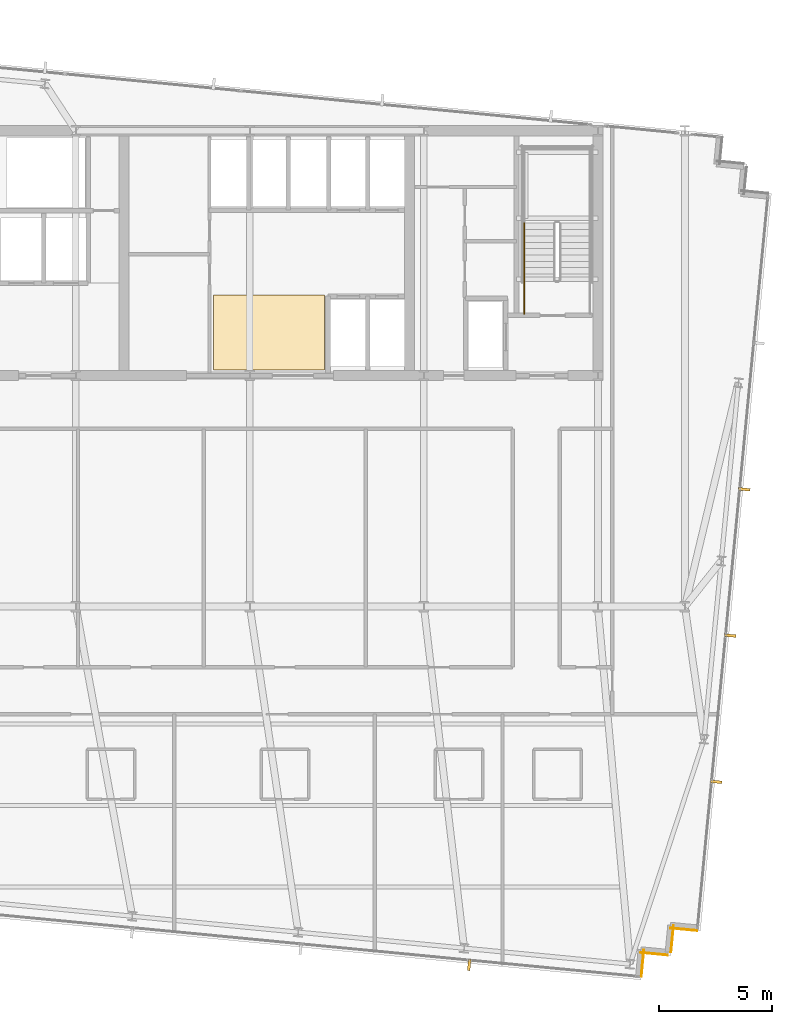
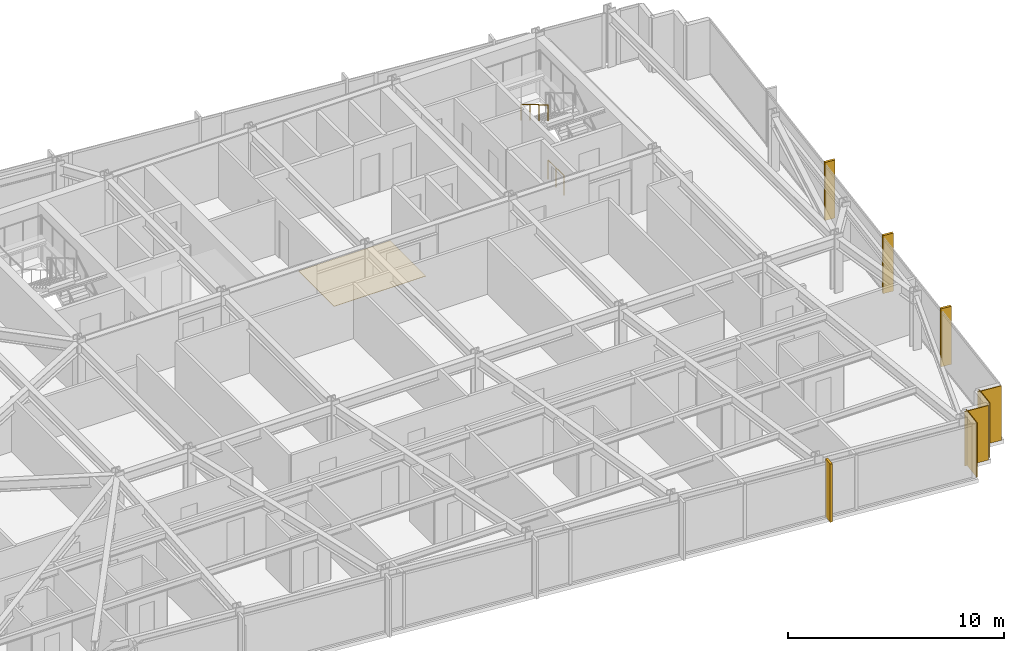
# One storey, part 35 of 38: 5 coverings, 4 shading devices, 2 railings.
"""IFC4 building model written with IfcOpenShell, lengths in metres."""

from ifc_helpers import new_model, si_unit, direction, frame, frame_2d, origin, origin_2d, place, context, subcontext, project, spatial, polyline, rectangle, circle, outline, extrude, material, layer, layer_set, type_object, element, save


model = new_model("IFC4")

# Units and contexts
model_context = context("Model", 3, precision=1e-05, world=origin(), true_north=direction((0.0, 1.0)))
body_context = subcontext(model_context, "Body", "Model", "MODEL_VIEW")
ifc_project = project(units=[si_unit("LENGTHUNIT", "METRE"), si_unit("AREAUNIT", "SQUARE_METRE"), si_unit("VOLUMEUNIT", "CUBIC_METRE"), si_unit("PLANEANGLEUNIT", "RADIAN"), si_unit("MASSUNIT", "GRAM", prefix="KILO")], contexts=[model_context])

# Site, building, storey
site_placement = place(None, origin())
site = spatial("IfcSite", under=ifc_project, at=site_placement, CompositionType="ELEMENT")
building_placement = place(site_placement, origin())
building = spatial("IfcBuilding", under=site, at=building_placement, Name="Yelkora Congress Tower", CompositionType="ELEMENT")
storey_placement = place(building_placement, frame((0.0, 0.0, 185.300048828125)))
storey = spatial("IfcBuildingStorey", under=building, at=storey_placement, Name="L51", CompositionType="ELEMENT", Elevation=185.300048828125)

# Coverings
ifc_material_1 = material(Name="Anatolian bush-hammered limestone", Category="masonry")
ifc_layer_1 = layer(ifc_material_1, 0.0400390625)
ifc_layer_set_1 = layer_set([ifc_layer_1], Name="Anatolian bush-hammered limestone")
covering_type_1 = type_object("IfcCoveringType", Name="COV-CLAD-SPANDREL-40", PredefinedType="CLADDING", material=ifc_layer_set_1)
covering_1_placement = place(storey_placement, frame((58.1474609375, 10.898681640625, 0.0), z_axis=(0.0, 0.0, 1.0), x_axis=(-0.995379537303, 0.096018626938, 0.0)))
element("IfcCovering", 1, at=covering_1_placement, inside=storey, type_object=covering_type_1, Name="L51 Anatolian Limestone Cladding EW-L51-SR16", PredefinedType="CLADDING", context=body_context, shape_type="SweptSolid", body=[
    extrude(rectangle(XDim=1.2001953125, YDim=0.0400390625, at=frame_2d((0.60009765625, 0.0))), origin(), (0.0, 0.0, 1.0), 3.079833984375),
])
covering_2_placement = place(storey_placement, frame((57.10009765625, 11.13525390625, 0.0), z_axis=(0.0, 0.0, 1.0), x_axis=(-0.095836473879, -0.995397091755, 0.0)))
element("IfcCovering", 2, at=covering_2_placement, inside=storey, type_object=covering_type_1, Name="L51 Anatolian Limestone Cladding EW-L51-SR17", PredefinedType="CLADDING", context=body_context, shape_type="SweptSolid", body=[
    extrude(rectangle(XDim=1.199951171875, YDim=0.0400390625, at=frame_2d((0.60009765625, 0.0))), origin(), (0.0, 0.0, 1.0), 3.079833984375),
])
for number, where, z_axis, x_axis, name in (
    (3, (56.837890625, 9.8193359375, 0.0), (0.0, 0.0, 1.0), (-0.995398960025, 0.095817067274, 0.0), "L51 Anatolian Limestone Cladding EW-L51-SR18"),
    (4, (55.790771484375, 10.055908203125, 0.0), (0.0, 0.0, 1.0), (-0.095817067274, -0.995398960025, 0.0), "L51 Anatolian Limestone Cladding EW-L51-SR19"),
):
    element("IfcCovering", number, at=place(storey_placement, frame(where, z_axis=z_axis, x_axis=x_axis)), inside=storey, type_object=covering_type_1, Name=name, PredefinedType="CLADDING", context=body_context, shape_type="SweptSolid", body=[
        extrude(rectangle(XDim=1.2001953125, YDim=0.0400390625, at=frame_2d((0.60009765625, 0.0))), origin(), (0.0, 0.0, 1.0), 3.079833984375),
    ])
ifc_material_2 = material(Name="Polished Anatolian grey granite tile", Category="masonry")
ifc_layer_2 = layer(ifc_material_2, 0.02001953125)
ifc_layer_set_2 = layer_set([ifc_layer_2], Name="Polished Anatolian grey granite tile")
covering_type_2 = type_object("IfcCoveringType", Name="COV-FLOOR-GRANITE-20", PredefinedType="FLOORING", material=ifc_layer_set_2)
covering_3_placement = place(storey_placement, origin())
element("IfcCovering", 5, at=covering_3_placement, inside=storey, type_object=covering_type_2, Name="L51 Lift Lobby Granite Flooring", PredefinedType="FLOORING", context=body_context, shape_type="SweptSolid", body=[
    extrude(outline(polyline([(36.800048828125, 35.64990234375), (41.699951171875, 35.64990234375), (41.699951171875, 38.949951171875), (36.800048828125, 38.949951171875), (36.800048828125, 35.64990234375)])), origin(), (0.0, 0.0, 1.0), 0.02001953125),
])

# Railings
ifc_material_3 = material(Name="Painted galvanised steel stair well guard with vertical infill", Category="steel")
ifc_layer_3 = layer(ifc_material_3, 0.06005859375)
ifc_layer_set_3 = layer_set([ifc_layer_3], Name="Painted galvanised steel stair well guard with vertical infill")
railing_type_1 = type_object("IfcRailingType", Name="RAIL-STAIR-GUARD-1120", PredefinedType="GUARDRAIL", material=ifc_layer_set_3)
railing_1_placement = place(storey_placement, frame((50.510009765625, 38.1201171875, 0.0)))
element("IfcRailing", 6, at=railing_1_placement, inside=storey, type_object=railing_type_1, Name="ST-02 L51 Stair Well Guardrail 9", PredefinedType="GUARDRAIL", context=body_context, shape_type="SweptSolid", body=[
    extrude(circle(Radius=0.02392578125, at=origin_2d()), frame((0.0, 0.0, 1.09619140625), z_axis=(0.0, 1.0, 0.0), x_axis=(-1.0, 0.0, 0.0)), (0.0, 0.0, 1.0), 1.47998046875),
    extrude(circle(Radius=0.02099609375, at=origin_2d()), origin(), (0.0, 0.0, 1.0), 1.072021484375),
    extrude(circle(Radius=0.02099609375, at=origin_2d()), frame((0.0, 0.739990234375, 0.0)), (0.0, 0.0, 1.0), 1.072021484375),
    extrude(circle(Radius=0.02099609375, at=origin_2d()), frame((0.0, 1.47998046875, 0.0)), (0.0, 0.0, 1.0), 1.072021484375),
])
ifc_material_4 = material(Name="Brushed stainless steel tubular handrail", Category="steel")
ifc_layer_4 = layer(ifc_material_4, 0.050048828125)
ifc_layer_set_4 = layer_set([ifc_layer_4], Name="Brushed stainless steel tubular handrail")
railing_type_2 = type_object("IfcRailingType", Name="RAIL-STAIR-HAND-920", PredefinedType="HANDRAIL", material=ifc_layer_set_4)
railing_2_placement = place(storey_placement, frame((50.510009765625, 42.1201171875, 1.81494140625)))
element("IfcRailing", 7, at=railing_2_placement, inside=storey, type_object=railing_type_2, Name="ST-02 L51 Pitch Handrail 2", PredefinedType="HANDRAIL", context=body_context, shape_type="SweptSolid", body=[
    extrude(circle(Radius=0.02392578125, at=origin_2d()), frame((0.0, 0.0, 0.89599609375), z_axis=(0.0, -0.86152411907, 0.507716645641), x_axis=(1.0, 0.0, 0.0)), (0.0, 0.0, 1.0), 2.925048828125),
    extrude(circle(Radius=0.02099609375, at=origin_2d()), origin(), (0.0, 0.0, 1.0), 0.871826171875),
    extrude(circle(Radius=0.02099609375, at=origin_2d()), frame((0.0, -0.840087890625, 0.4951171875)), (0.0, 0.0, 1.0), 0.871826171875),
    extrude(circle(Radius=0.02099609375, at=origin_2d()), frame((0.0, -1.679931640625, 0.989990234375)), (0.0, 0.0, 1.0), 0.871826171875),
    extrude(circle(Radius=0.02099609375, at=origin_2d()), frame((0.0, -2.52001953125, 1.485107421875)), (0.0, 0.0, 1.0), 0.871826171875),
])

# Shading devices
ifc_material_5 = material(Name="Champagne anodised aluminium", Category="aluminium")
ifc_layer_5 = layer(ifc_material_5, 3.300048828125)
ifc_layer_set_5 = layer_set([ifc_layer_5], Name="Champagne anodised aluminium")
shading_device_type = type_object("IfcShadingDeviceType", Name="SHD-FIN-ALU-520", PredefinedType="USERDEFINED", material=ifc_layer_set_5)
for number, where, z_axis, x_axis, name in (
    (8, (60.223876953125, 30.37646484375, -0.0302734375), (0.0, 0.0, 1.0), (-0.09584575252, -0.995396198367, 0.0), "L51 Vertical Anodised Solar Fin 15-2"),
    (9, (59.602294921875, 23.92236328125, -0.0302734375), (0.0, 0.0, 1.0), (-0.09584575252, -0.995396198367, 0.0), "L51 Vertical Anodised Solar Fin 15-3"),
    (10, (58.98095703125, 17.46826171875, -0.0302734375), (0.0, 0.0, 1.0), (-0.09584575252, -0.995396198367, 0.0), "L51 Vertical Anodised Solar Fin 15-4"),
    (11, (48.082275390625, 9.3916015625, -0.0302734375), (0.0, 0.0, 1.0), (-0.995396198367, 0.09584575252, 0.0), "L51 Vertical Anodised Solar Fin 20-1"),
):
    element("IfcShadingDevice", number, at=place(storey_placement, frame(where, z_axis=z_axis, x_axis=x_axis)), inside=storey, type_object=shading_device_type, Name=name, ObjectType="FIN", PredefinedType="USERDEFINED", context=body_context, shape_type="SweptSolid", body=[
        extrude(rectangle(XDim=0.1201171875, YDim=0.52001953125, at=origin_2d()), origin(), (0.0, 0.0, 1.0), 3.280029296875),
    ])

save(model, "model.ifc")
